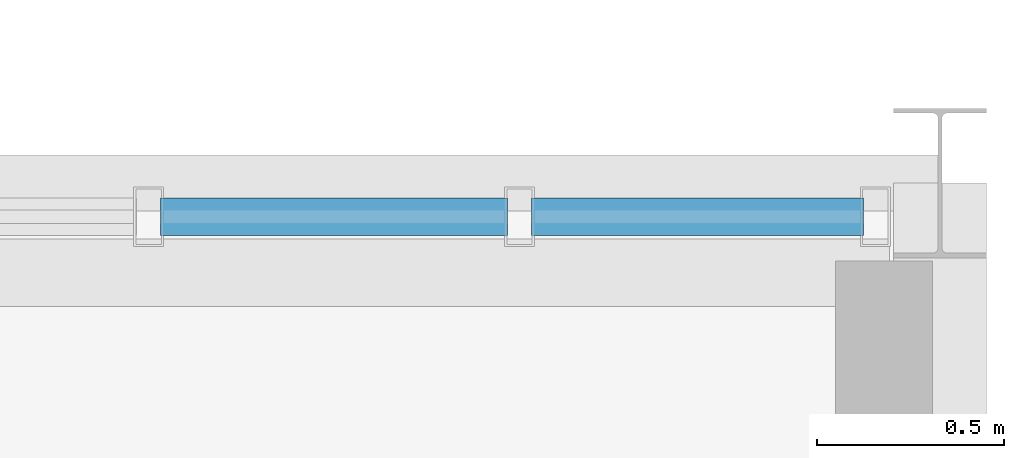
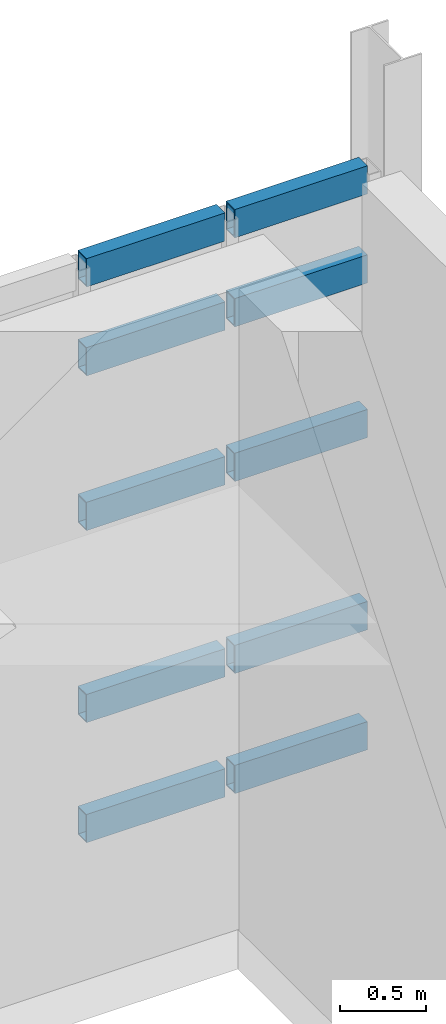
# One storey, part 83 of 127: 10 members, 1 element without a shape of its own.
"""IFC4 building model written with IfcOpenShell, lengths in metres."""

from ifc_helpers import new_model, si_unit, derived_unit, direction, frame, origin, origin_2d, place, context, subcontext, project, spatial, hollow_rectangle, extrude, material, layer, layer_set, material_profile, profile_set, type_object, element, aggregate, save


model = new_model("IFC4")

# Units and contexts
model_context = context("Model", 3, precision=1e-05, world=origin(), true_north=direction((0.0, 1.0)))
body_context = subcontext(model_context, "Body", "Model", "MODEL_VIEW")
ifc_project = project(units=[si_unit("LENGTHUNIT", "METRE"), si_unit("AREAUNIT", "SQUARE_METRE"), si_unit("VOLUMEUNIT", "CUBIC_METRE"), si_unit("PLANEANGLEUNIT", "RADIAN"), si_unit("MASSUNIT", "GRAM", prefix="KILO"), derived_unit("THERMALTRANSMITTANCEUNIT", [(si_unit("POWERUNIT", "WATT"), 1), (si_unit("LENGTHUNIT", "METRE"), -2), (si_unit("THERMODYNAMICTEMPERATUREUNIT", "KELVIN"), -1)])], contexts=[model_context])

# Site, building, storey
site_placement = place(None, origin())
site = spatial("IfcSite", under=ifc_project, at=site_placement, CompositionType="ELEMENT")
building_placement = place(site_placement, origin())
building = spatial("IfcBuilding", under=site, at=building_placement, Name="Nallur Shell Playhouse", CompositionType="ELEMENT")
storey_placement = place(building_placement, frame((0.0, 0.0, 5.39990234375)))
storey = spatial("IfcBuildingStorey", under=building, at=storey_placement, Name="L02", CompositionType="ELEMENT", Elevation=5.39990234375)

# Curtain wall, members
ifc_material_1 = material(Name="Anodised Aluminium Double-Glazed Facade System", Category="aluminium")
ifc_layer = layer(ifc_material_1, 0.159912109375)
ifc_layer_set = layer_set([ifc_layer], Name="Anodised Aluminium Double-Glazed Facade System")
curtain_wall_type = type_object("IfcCurtainWallType", Name="CW-UNIT-06", PredefinedType="NOTDEFINED", material=ifc_layer_set)
curtain_wall_placement = place(storey_placement, origin())
curtain_wall = element("IfcCurtainWall", 1, at=curtain_wall_placement, inside=storey, type_object=curtain_wall_type, Name="Unitised curtain wall CW-038 (L02)", PredefinedType="NOTDEFINED")
ifc_material_2 = material(Name="Aluminium Alloy 6063-T6 Transom", Category="aluminium")
ifc_material_profile = material_profile(ifc_material_2, hollow_rectangle(XDim=0.10009765625, YDim=0.199951171875, WallThickness=0.008056640625, at=origin_2d()), Name="RHS 200x100x8")
ifc_profile_set = profile_set([ifc_material_profile], Name="Aluminium Alloy 6063-T6 Transom")
member_type = type_object("IfcMemberType", Name="MB-CW-TRN140", PredefinedType="USERDEFINED", material=ifc_profile_set)
member_1_placement = place(storey_placement, frame((157.71337890625, 55.909912109375, 0.050048828125), z_axis=(1.0, 0.0, 0.0), x_axis=(0.0, 1.0, 0.0)))
member_1 = element("IfcMember", 2, at=member_1_placement, type_object=member_type, Name="CW-06 transom 2.1", ObjectType="TRANSOM", PredefinedType="USERDEFINED", context=body_context, shape_type="SweptSolid", body=[
    extrude(hollow_rectangle(XDim=0.10009765625, YDim=0.199951171875, WallThickness=0.008056640625, at=origin_2d()), origin(), (0.0, 0.0, 1.0), 0.9287109375),
])
member_2_placement = place(storey_placement, frame((157.71337890625, 55.909912109375, 0.900146484375), z_axis=(1.0, 0.0, 0.0), x_axis=(0.0, 1.0, 0.0)))
member_2 = element("IfcMember", 3, at=member_2_placement, type_object=member_type, Name="CW-06 transom 2.2", ObjectType="TRANSOM", PredefinedType="USERDEFINED", context=body_context, shape_type="SweptSolid", body=[
    extrude(hollow_rectangle(XDim=0.10009765625, YDim=0.199951171875, WallThickness=0.008056640625, at=origin_2d()), origin(), (0.0, 0.0, 1.0), 0.9287109375),
])
member_3_placement = place(storey_placement, frame((157.71337890625, 55.909912109375, 2.260009765625), z_axis=(1.0, 0.0, 0.0), x_axis=(0.0, 1.0, 0.0)))
member_3 = element("IfcMember", 4, at=member_3_placement, type_object=member_type, Name="CW-06 transom 2.3", ObjectType="TRANSOM", PredefinedType="USERDEFINED", context=body_context, shape_type="SweptSolid", body=[
    extrude(hollow_rectangle(XDim=0.10009765625, YDim=0.199951171875, WallThickness=0.008056640625, at=origin_2d()), origin(), (0.0, 0.0, 1.0), 0.9287109375),
])
member_4_placement = place(storey_placement, frame((157.71337890625, 55.909912109375, 3.35498046875), z_axis=(1.0, 0.0, 0.0), x_axis=(0.0, 1.0, 0.0)))
member_4 = element("IfcMember", 5, at=member_4_placement, type_object=member_type, Name="CW-06 transom 2.4", ObjectType="TRANSOM", PredefinedType="USERDEFINED", context=body_context, shape_type="SweptSolid", body=[
    extrude(hollow_rectangle(XDim=0.10009765625, YDim=0.199951171875, WallThickness=0.008056640625, at=origin_2d()), origin(), (0.0, 0.0, 1.0), 0.9287109375),
])
member_5_placement = place(storey_placement, frame((157.71337890625, 55.909912109375, 3.985107421875), z_axis=(1.0, 0.0, 0.0), x_axis=(0.0, 1.0, 0.0)))
member_5 = element("IfcMember", 6, at=member_5_placement, type_object=member_type, Name="CW-06 transom 2.5", ObjectType="TRANSOM", PredefinedType="USERDEFINED", context=body_context, shape_type="SweptSolid", body=[
    extrude(hollow_rectangle(XDim=0.10009765625, YDim=0.199951171875, WallThickness=0.008056640625, at=origin_2d()), origin(), (0.0, 0.0, 1.0), 0.9287109375),
])
member_6_placement = place(storey_placement, frame((158.7060546875, 55.909912109375, 0.050048828125), z_axis=(1.0, 0.0, 0.0), x_axis=(0.0, 1.0, 0.0)))
member_6 = element("IfcMember", 7, at=member_6_placement, type_object=member_type, Name="CW-06 transom 3.1", ObjectType="TRANSOM", PredefinedType="USERDEFINED", context=body_context, shape_type="SweptSolid", body=[
    extrude(hollow_rectangle(XDim=0.10009765625, YDim=0.199951171875, WallThickness=0.008056640625, at=origin_2d()), origin(), (0.0, 0.0, 1.0), 0.888916015625),
])
member_7_placement = place(storey_placement, frame((158.7060546875, 55.909912109375, 0.900146484375), z_axis=(1.0, 0.0, 0.0), x_axis=(0.0, 1.0, 0.0)))
member_7 = element("IfcMember", 8, at=member_7_placement, type_object=member_type, Name="CW-06 transom 3.2", ObjectType="TRANSOM", PredefinedType="USERDEFINED", context=body_context, shape_type="SweptSolid", body=[
    extrude(hollow_rectangle(XDim=0.10009765625, YDim=0.199951171875, WallThickness=0.008056640625, at=origin_2d()), origin(), (0.0, 0.0, 1.0), 0.888916015625),
])
member_8_placement = place(storey_placement, frame((158.7060546875, 55.909912109375, 2.260009765625), z_axis=(1.0, 0.0, 0.0), x_axis=(0.0, 1.0, 0.0)))
member_8 = element("IfcMember", 9, at=member_8_placement, type_object=member_type, Name="CW-06 transom 3.3", ObjectType="TRANSOM", PredefinedType="USERDEFINED", context=body_context, shape_type="SweptSolid", body=[
    extrude(hollow_rectangle(XDim=0.10009765625, YDim=0.199951171875, WallThickness=0.008056640625, at=origin_2d()), origin(), (0.0, 0.0, 1.0), 0.888916015625),
])
member_9_placement = place(storey_placement, frame((158.7060546875, 55.909912109375, 3.35498046875), z_axis=(1.0, 0.0, 0.0), x_axis=(0.0, 1.0, 0.0)))
member_9 = element("IfcMember", 10, at=member_9_placement, type_object=member_type, Name="CW-06 transom 3.4", ObjectType="TRANSOM", PredefinedType="USERDEFINED", context=body_context, shape_type="SweptSolid", body=[
    extrude(hollow_rectangle(XDim=0.10009765625, YDim=0.199951171875, WallThickness=0.008056640625, at=origin_2d()), origin(), (0.0, 0.0, 1.0), 0.888916015625),
])
member_10_placement = place(storey_placement, frame((158.7060546875, 55.909912109375, 3.985107421875), z_axis=(1.0, 0.0, 0.0), x_axis=(0.0, 1.0, 0.0)))
member_10 = element("IfcMember", 11, at=member_10_placement, type_object=member_type, Name="CW-06 transom 3.5", ObjectType="TRANSOM", PredefinedType="USERDEFINED", context=body_context, shape_type="SweptSolid", body=[
    extrude(hollow_rectangle(XDim=0.10009765625, YDim=0.199951171875, WallThickness=0.008056640625, at=origin_2d()), origin(), (0.0, 0.0, 1.0), 0.888916015625),
])
aggregate(curtain_wall, [member_1, member_2, member_3, member_4, member_5, member_6, member_7, member_8, member_9, member_10])

save(model, "model.ifc")
